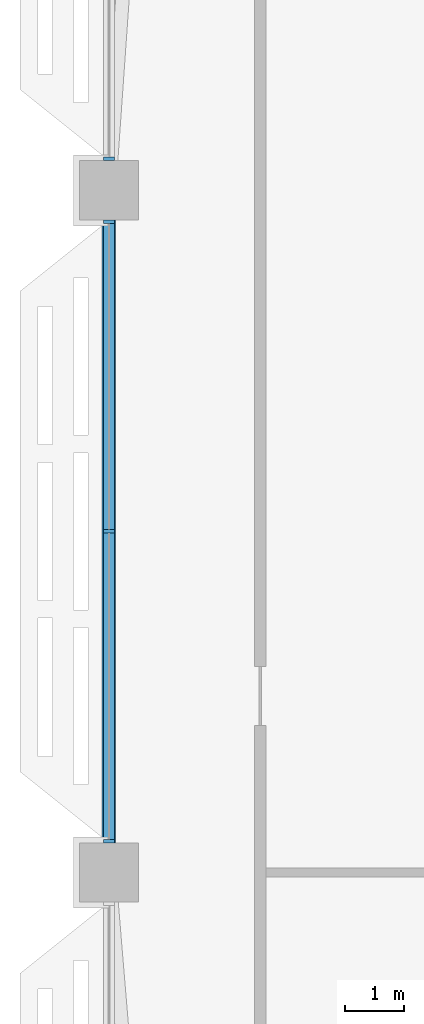
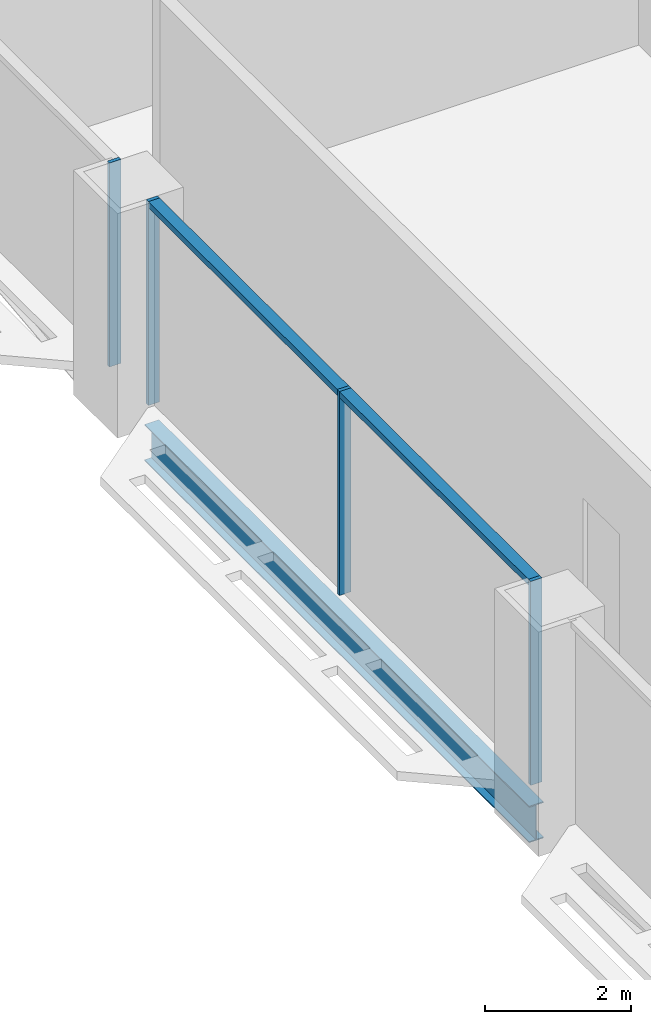
# One storey, part 7 of 33: 6 members, 1 beam, 2 elements without a shape of their own.
"""IFC4 building model written with IfcOpenShell, lengths in metres."""

from ifc_helpers import new_model, si_unit, direction, frame, origin, origin_2d, place, context, subcontext, project, spatial, rectangle, i_section, extrude, material, material_profile, profile_set, type_object, element, aggregate, save


model = new_model("IFC4")

# Units and contexts
model_context = context("Model", 3, precision=1e-05, world=origin(), true_north=direction((0.0, 1.0)))
body_context = subcontext(model_context, "Body", "Model", "MODEL_VIEW")
ifc_project = project(units=[si_unit("LENGTHUNIT", "METRE"), si_unit("AREAUNIT", "SQUARE_METRE"), si_unit("VOLUMEUNIT", "CUBIC_METRE"), si_unit("PLANEANGLEUNIT", "RADIAN"), si_unit("MASSUNIT", "GRAM", prefix="KILO")], contexts=[model_context])

# Site, building, storey
site_placement = place(None, origin())
site = spatial("IfcSite", under=ifc_project, at=site_placement, CompositionType="ELEMENT")
building_placement = place(site_placement, origin())
building = spatial("IfcBuilding", under=site, at=building_placement, Name="Mahtab Terrace Research Tower", CompositionType="ELEMENT")
storey_placement = place(building_placement, frame((0.0, 0.0, 255.199951171875)))
storey = spatial("IfcBuildingStorey", under=building, at=storey_placement, Name="L62", CompositionType="ELEMENT", Elevation=255.199951171875)

# Curtain wall, member
ifc_material_1 = material(Name="Office ribbon curtain wall")
curtain_wall_type = type_object("IfcCurtainWallType", Name="Office ribbon curtain wall", PredefinedType="NOTDEFINED", material=ifc_material_1)
curtain_wall_1_placement = place(storey_placement, origin())
curtain_wall_1 = element("IfcCurtainWall", 1, at=curtain_wall_1_placement, inside=storey, type_object=curtain_wall_type, Name="EN.L62.8.17", PredefinedType="NOTDEFINED")
ifc_material_2 = material(Name="Natural anodised aluminium", Category="aluminium")
ifc_material_profile_1 = material_profile(ifc_material_2, rectangle(XDim=0.179931640625, YDim=0.06005859375, at=origin_2d()), Name="MULLION 60x180")
ifc_profile_set_1 = profile_set([ifc_material_profile_1], Name="Natural anodised aluminium")
member_type_1 = type_object("IfcMemberType", Name="Office ribbon curtain wall mullion", PredefinedType="MULLION", material=ifc_profile_set_1)
member_1_placement = place(storey_placement, frame((-42.0, 12.030029296875, 0.0), z_axis=(0.0, 0.0, 1.0), x_axis=(1.0, 0.0, 0.0)))
member_1 = element("IfcMember", 2, at=member_1_placement, type_object=member_type_1, Name="CWO-7 mullion 2", PredefinedType="MULLION", context=body_context, shape_type="SweptSolid", body=[
    extrude(rectangle(XDim=0.179931640625, YDim=0.06005859375, at=origin_2d()), origin(), (0.0, 0.0, 1.0), 3.400146484375),
])
aggregate(curtain_wall_1, [member_1])

# Curtain wall, members
curtain_wall_2_placement = place(storey_placement, origin())
curtain_wall_2 = element("IfcCurtainWall", 3, at=curtain_wall_2_placement, inside=storey, type_object=curtain_wall_type, Name="EN.L62.8.18", PredefinedType="NOTDEFINED")
member_2_placement = place(storey_placement, frame((-42.0, 10.969970703125, 0.0), z_axis=(0.0, 0.0, 1.0), x_axis=(1.0, 0.0, 0.0)))
member_2 = element("IfcMember", 4, at=member_2_placement, type_object=member_type_1, Name="CWO-7 mullion 1", PredefinedType="MULLION", context=body_context, shape_type="SweptSolid", body=[
    extrude(rectangle(XDim=0.179931640625, YDim=0.06005859375, at=origin_2d()), origin(), (0.0, 0.0, 1.0), 3.400146484375),
])
member_3_placement = place(storey_placement, frame((-42.0, 5.75, 0.0), z_axis=(0.0, 0.0, 1.0), x_axis=(1.0, 0.0, 0.0)))
member_3 = element("IfcMember", 5, at=member_3_placement, type_object=member_type_1, Name="CWO-7 mullion 2", PredefinedType="MULLION", context=body_context, shape_type="SweptSolid", body=[
    extrude(rectangle(XDim=0.179931640625, YDim=0.06005859375, at=origin_2d()), origin(), (0.0, 0.0, 1.0), 3.400146484375),
])
member_4_placement = place(storey_placement, frame((-42.0, 0.530029296875, 0.0), z_axis=(0.0, 0.0, 1.0), x_axis=(1.0, 0.0, 0.0)))
member_4 = element("IfcMember", 6, at=member_4_placement, type_object=member_type_1, Name="CWO-7 mullion 3", PredefinedType="MULLION", context=body_context, shape_type="SweptSolid", body=[
    extrude(rectangle(XDim=0.179931640625, YDim=0.06005859375, at=origin_2d()), origin(), (0.0, 0.0, 1.0), 3.400146484375),
])
ifc_material_profile_2 = material_profile(ifc_material_2, rectangle(XDim=0.179931640625, YDim=0.10009765625, at=origin_2d()), Name="TRANSOM 100x180")
ifc_profile_set_2 = profile_set([ifc_material_profile_2], Name="Natural anodised aluminium")
member_type_2 = type_object("IfcMemberType", Name="Office ribbon curtain wall transom", PredefinedType="USERDEFINED", material=ifc_profile_set_2)
member_5_placement = place(storey_placement, frame((-42.0, 10.93994140625, 3.35009765625), z_axis=(0.0, -1.0, 0.0), x_axis=(1.0, 0.0, 0.0)))
member_5 = element("IfcMember", 7, at=member_5_placement, type_object=member_type_2, Name="CWO-7 transom 1", ObjectType="TRANSOM", PredefinedType="USERDEFINED", context=body_context, shape_type="SweptSolid", body=[
    extrude(rectangle(XDim=0.179931640625, YDim=0.10009765625, at=origin_2d()), origin(), (0.0, 0.0, 1.0), 5.159912109375),
])
member_6_placement = place(storey_placement, frame((-42.0, 5.719970703125, 3.35009765625), z_axis=(0.0, -1.0, 0.0), x_axis=(1.0, 0.0, 0.0)))
member_6 = element("IfcMember", 8, at=member_6_placement, type_object=member_type_2, Name="CWO-7 transom 2", ObjectType="TRANSOM", PredefinedType="USERDEFINED", context=body_context, shape_type="SweptSolid", body=[
    extrude(rectangle(XDim=0.179931640625, YDim=0.10009765625, at=origin_2d()), origin(), (0.0, 0.0, 1.0), 5.159912109375),
])
aggregate(curtain_wall_2, [member_2, member_3, member_4, member_5, member_6])

# Beam
ifc_material_3 = material(Name="Steel ASTM A992 Gr 50", Category="steel")
ifc_material_profile_3 = material_profile(ifc_material_3, i_section(OverallWidth=0.228271484375, OverallDepth=0.607177734375, WebThickness=0.01123046875, FlangeThickness=0.017333984375, at=origin_2d()), Name="W24X76")
ifc_profile_set_3 = profile_set([ifc_material_profile_3], Name="Steel ASTM A992 Gr 50")
beam_type = type_object("IfcBeamType", Name="W24x76 beam BS2476", PredefinedType="BEAM", material=ifc_profile_set_3)
beam_placement = place(storey_placement, frame((-42.0, 11.0, -0.6435546875), z_axis=(0.0, -1.0, 0.0), x_axis=(1.0, 0.0, 0.0)))
element("IfcBeam", 9, at=beam_placement, inside=storey, type_object=beam_type, Name="Spandrel beam L62 10", PredefinedType="BEAM", context=body_context, shape_type="SweptSolid", body=[
    extrude(i_section(OverallWidth=0.228271484375, OverallDepth=0.607177734375, WebThickness=0.01123046875, FlangeThickness=0.017333984375, at=origin_2d()), origin(), (0.0, 0.0, 1.0), 10.5),
])

save(model, "model.ifc")
